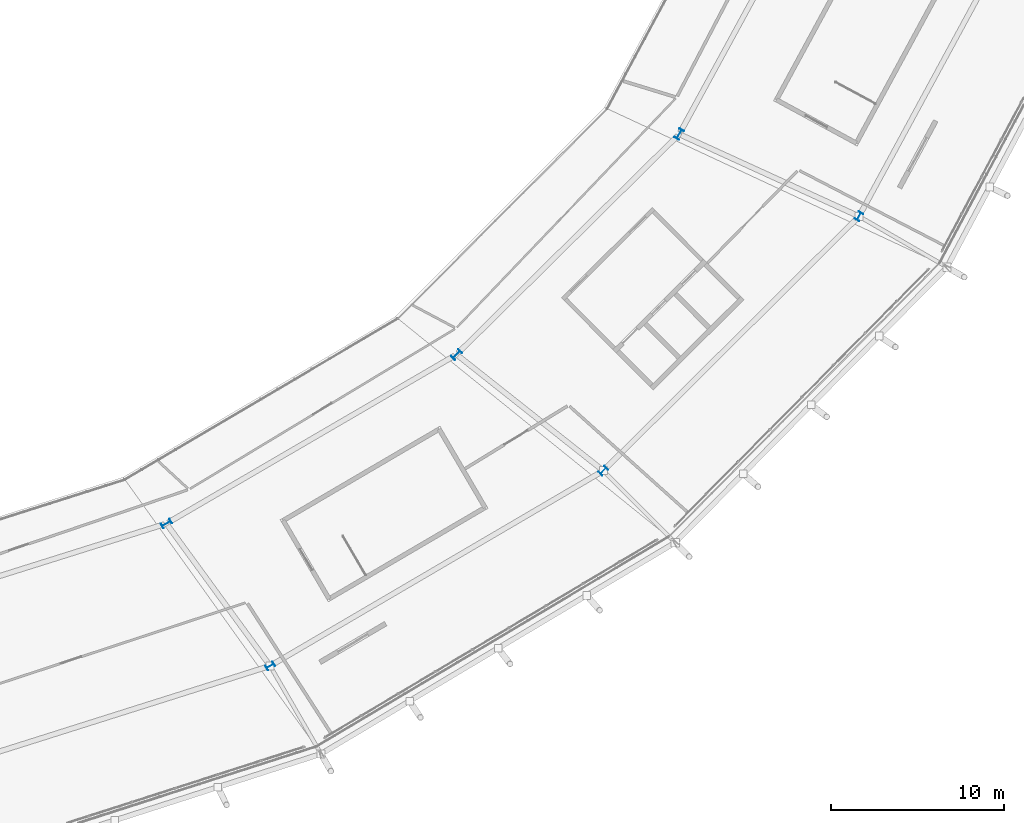
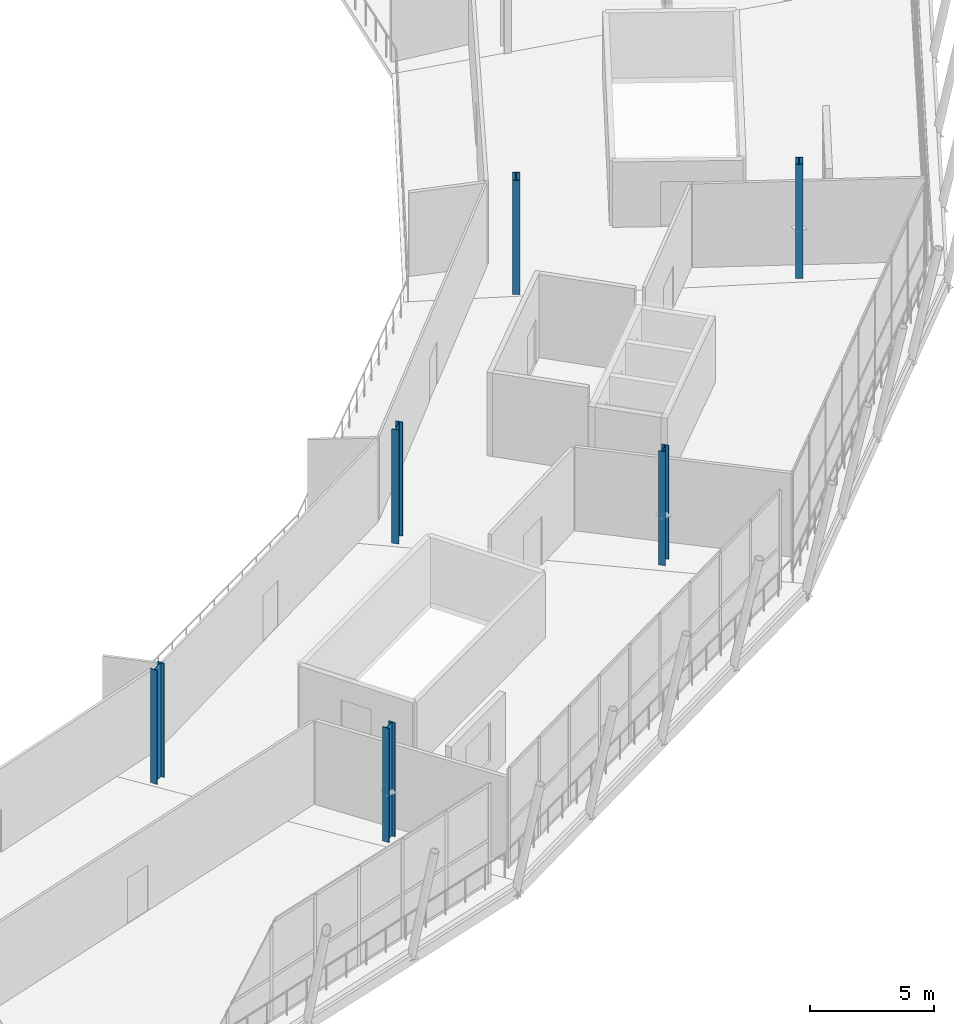
# One storey, part 6 of 99: 6 columns.
"""IFC4 building model written with IfcOpenShell, lengths in metres."""

from ifc_helpers import new_model, si_unit, direction, frame, origin, origin_2d, place, context, subcontext, project, spatial, i_section, extrude, material, material_profile, profile_set, type_object, element, save


model = new_model("IFC4")

# Units and contexts
model_context = context("Model", 3, precision=1e-05, world=origin(), true_north=direction((0.0, 1.0)))
body_context = subcontext(model_context, "Body", "Model", "MODEL_VIEW")
ifc_project = project(units=[si_unit("LENGTHUNIT", "METRE"), si_unit("AREAUNIT", "SQUARE_METRE"), si_unit("VOLUMEUNIT", "CUBIC_METRE"), si_unit("PLANEANGLEUNIT", "RADIAN"), si_unit("MASSUNIT", "GRAM", prefix="KILO")], contexts=[model_context])

# Site, building, storey
site_placement = place(None, origin())
site = spatial("IfcSite", under=ifc_project, at=site_placement, CompositionType="ELEMENT")
building_placement = place(site_placement, origin())
building = spatial("IfcBuilding", under=site, at=building_placement, Name="Zlatoyarsky Gate Stadium", CompositionType="ELEMENT")
storey_placement = place(building_placement, frame((0.0, 0.0, 26.199951171875)))
storey = spatial("IfcBuildingStorey", under=building, at=storey_placement, Name="L05", CompositionType="ELEMENT", Elevation=26.199951171875)

# Columns
ifc_material = material(Name="Steel S355", Category="steel")
ifc_material_profile_1 = material_profile(ifc_material, i_section(OverallWidth=0.300048828125, OverallDepth=0.5, WebThickness=0.014404296875, FlangeThickness=0.028076171875, FilletRadius=0.027099609375, at=origin_2d()), Name="HEB 500")
ifc_profile_set_1 = profile_set([ifc_material_profile_1], Name="Steel S355")
column_type_1 = type_object("IfcColumnType", Name="STEEL COLUMN HEB 500", PredefinedType="COLUMN", material=ifc_profile_set_1)
for number, where, z_axis, x_axis, name in (
    (1, (157.5, 18.51220703125, 0.0), (0.0, 0.0, 1.0), (0.5, -0.866025403784, 0.0), "Column ST-C500 RC-20 on L05"),
    (2, (176.760986328125, 29.79541015625, 0.0), (0.0, 0.0, 1.0), (0.707106781187, -0.707106781187, 0.0), "Column ST-C500 RC-21 on L05"),
    (3, (191.540283203125, 44.5, 0.0), (0.0, 0.0, 1.0), (0.866025403784, -0.5, 0.0), "Column ST-C500 RC-22 on L05"),
):
    element("IfcColumn", number, at=place(storey_placement, frame(where, z_axis=z_axis, x_axis=x_axis)), inside=storey, type_object=column_type_1, Name=name, PredefinedType="COLUMN", context=body_context, shape_type="SweptSolid", body=[
        extrude(i_section(OverallWidth=0.300048828125, OverallDepth=0.5, WebThickness=0.014404296875, FlangeThickness=0.028076171875, FilletRadius=0.027099609375, at=origin_2d()), origin(), (0.0, 0.0, 1.0), 5.60009765625),
    ])
ifc_material_profile_2 = material_profile(ifc_material, i_section(OverallWidth=0.300048828125, OverallDepth=0.60009765625, WebThickness=0.015380859375, FlangeThickness=0.030029296875, FilletRadius=0.027099609375, at=origin_2d()), Name="HEB 600")
ifc_profile_set_2 = profile_set([ifc_material_profile_2], Name="Steel S355")
column_type_2 = type_object("IfcColumnType", Name="STEEL COLUMN HEB 600", PredefinedType="COLUMN", material=ifc_profile_set_2)
for number, where, z_axis, x_axis, name in (
    (4, (151.5, 26.739501953125, 0.0), (0.0, 0.0, 1.0), (0.5, -0.866025403784, 0.0), "Column ST-C600 RB-20 on L05"),
    (5, (168.275634765625, 36.512939453125, 0.0), (0.0, 0.0, 1.0), (0.707106781187, -0.707106781187, 0.0), "Column ST-C600 RB-21 on L05"),
    (6, (181.148193359375, 49.25, 0.0), (0.0, 0.0, 1.0), (0.866025403784, -0.5, 0.0), "Column ST-C600 RB-22 on L05"),
):
    element("IfcColumn", number, at=place(storey_placement, frame(where, z_axis=z_axis, x_axis=x_axis)), inside=storey, type_object=column_type_2, Name=name, PredefinedType="COLUMN", context=body_context, shape_type="SweptSolid", body=[
        extrude(i_section(OverallWidth=0.300048828125, OverallDepth=0.60009765625, WebThickness=0.015380859375, FlangeThickness=0.030029296875, FilletRadius=0.027099609375, at=origin_2d()), origin(), (0.0, 0.0, 1.0), 5.60009765625),
    ])

save(model, "model.ifc")
